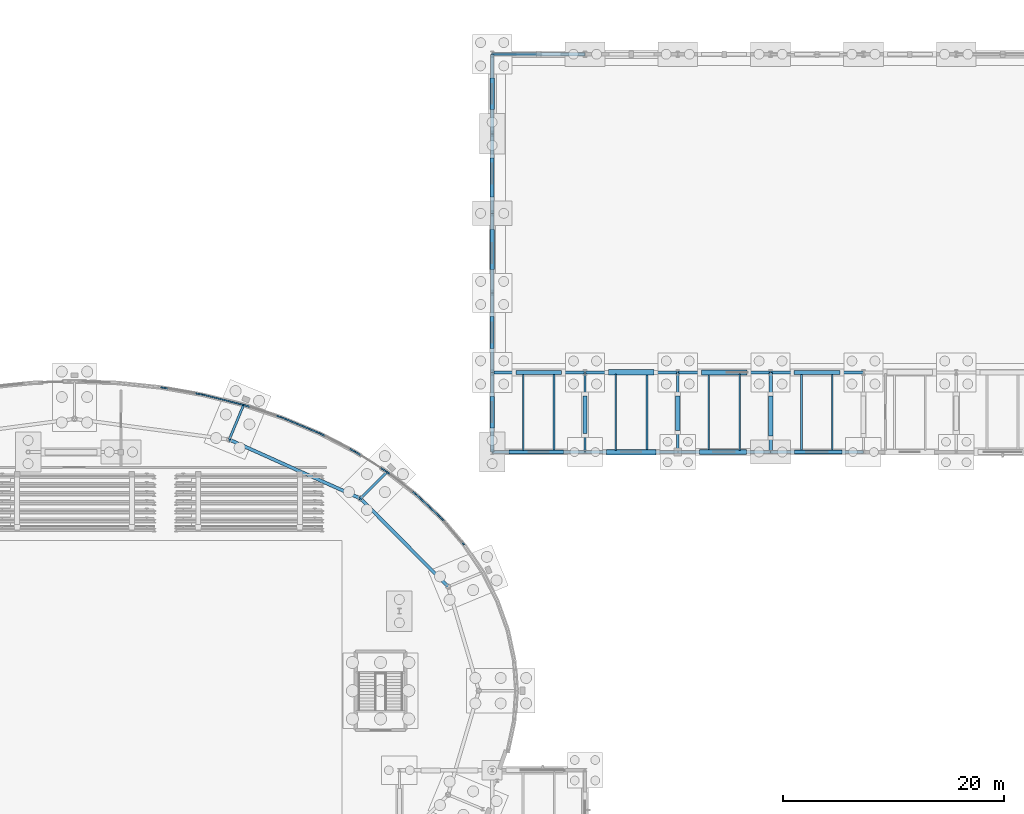
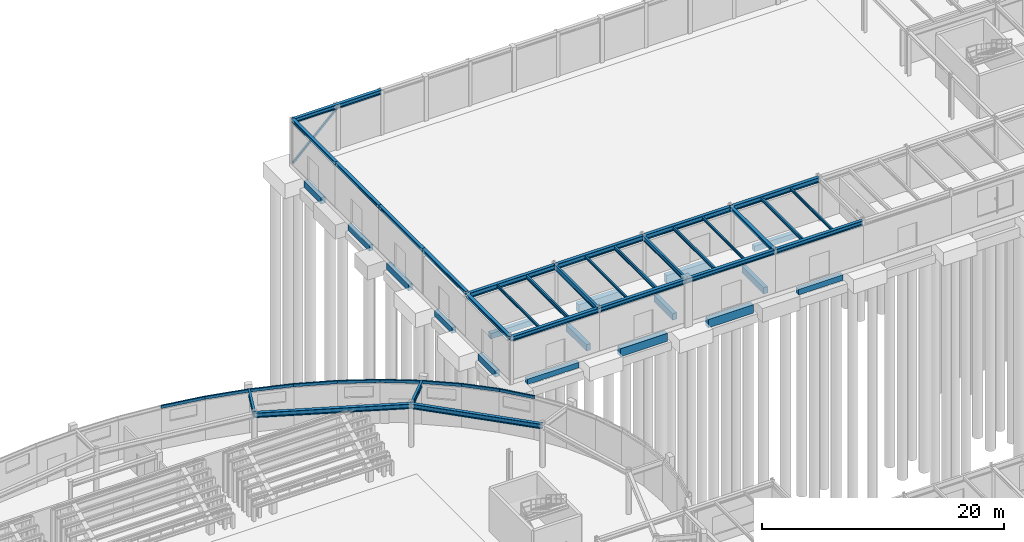
# One storey, part 41 of 93: 54 beams, 1 member.
"""IFC4 building model written with IfcOpenShell, lengths in metres."""

from ifc_helpers import new_model, si_unit, derived_unit, direction, frame, origin, origin_2d, place, context, subcontext, project, spatial, rectangle, hollow_rectangle, i_section, extrude, material, material_profile, profile_set, type_object, element, save


model = new_model("IFC4")

# Units and contexts
model_context = context("Model", 3, precision=1e-05, world=origin(), true_north=direction((0.0, 1.0)))
body_context = subcontext(model_context, "Body", "Model", "MODEL_VIEW")
ifc_project = project(units=[si_unit("LENGTHUNIT", "METRE"), si_unit("AREAUNIT", "SQUARE_METRE"), si_unit("VOLUMEUNIT", "CUBIC_METRE"), si_unit("PLANEANGLEUNIT", "RADIAN"), si_unit("MASSUNIT", "GRAM", prefix="KILO"), derived_unit("THERMALTRANSMITTANCEUNIT", [(si_unit("MASSUNIT", "GRAM", prefix="KILO"), 1), (si_unit("TIMEUNIT", "SECOND"), -3), (si_unit("THERMODYNAMICTEMPERATUREUNIT", "KELVIN"), -1)])], contexts=[model_context])

# Site, building, storey
site_placement = place(None, origin())
site = spatial("IfcSite", under=ifc_project, at=site_placement, CompositionType="ELEMENT")
building_placement = place(site_placement, origin())
building = spatial("IfcBuilding", under=site, at=building_placement, Name="Kharveza Railside Sports Centre", CompositionType="ELEMENT")
storey_placement = place(building_placement, origin())
storey = spatial("IfcBuildingStorey", under=building, at=storey_placement, Name="L00", CompositionType="ELEMENT", Elevation=0.0)

# Beams
ifc_material_1 = material(Name="Steel S355J2", Category="steel")
ifc_material_profile_1 = material_profile(ifc_material_1, i_section(OverallWidth=0.2099609375, OverallDepth=0.550048828125, WebThickness=0.010986328125, FlangeThickness=0.01708984375, FilletRadius=0.02392578125, at=origin_2d()), Name="IPE 550")
ifc_profile_set_1 = profile_set([ifc_material_profile_1], Name="Steel S355J2")
beam_type_1 = type_object("IfcBeamType", Name="BM-G02", PredefinedType="T_BEAM", material=ifc_profile_set_1)
for number, where, z_axis, x_axis, name in (
    (1, (80.47998046875, 67.794921875, 4.0400390625), (0.707142683133, 0.707070877417, 0.0), (-0.707070877417, 0.707142683133, 0.0), "BM-DRAD-L00-03"),
    (2, (68.606201171875, 73.12744140625, 4.0400390625), (0.382666779591, 0.92388643014, 0.0), (-0.92388643014, 0.382666779591, 0.0), "BM-DRAD-L00-04"),
):
    element("IfcBeam", number, at=place(storey_placement, frame(where, z_axis=z_axis, x_axis=x_axis)), inside=storey, type_object=beam_type_1, Name=name, PredefinedType="T_BEAM", context=body_context, shape_type="SweptSolid", body=[
        extrude(i_section(OverallWidth=0.2099609375, OverallDepth=0.550048828125, WebThickness=0.010986328125, FlangeThickness=0.01708984375, FilletRadius=0.02392578125, at=origin_2d()), origin(), (0.0, 0.0, 1.0), 3.39990234375),
    ])
ifc_material_profile_2 = material_profile(ifc_material_1, i_section(OverallWidth=0.199951171875, OverallDepth=0.5, WebThickness=0.01025390625, FlangeThickness=0.01611328125, FilletRadius=0.02099609375, at=origin_2d()), Name="IPE 500")
ifc_profile_set_2 = profile_set([ifc_material_profile_2], Name="Steel S355J2")
beam_type_2 = type_object("IfcBeamType", Name="BM-G03", PredefinedType="T_BEAM", material=ifc_profile_set_2)
beam_1_placement = place(storey_placement, frame((100.800048828125, 72.0, 4.070068359375), z_axis=(0.0, 1.0, 0.0), x_axis=(-1.0, 0.0, 0.0)))
element("IfcBeam", 3, at=beam_1_placement, inside=storey, type_object=beam_type_2, Name="BM-NS-L00-B03-X1008-Y720", PredefinedType="T_BEAM", context=body_context, shape_type="SweptSolid", body=[
    extrude(i_section(OverallWidth=0.199951171875, OverallDepth=0.5, WebThickness=0.01025390625, FlangeThickness=0.01611328125, FilletRadius=0.02099609375, at=origin_2d()), origin(), (0.0, 0.0, 1.0), 7.199951171875),
])
ifc_material_profile_3 = material_profile(ifc_material_1, i_section(OverallWidth=0.18994140625, OverallDepth=0.449951171875, WebThickness=0.009521484375, FlangeThickness=0.0146484375, FilletRadius=0.02099609375, at=origin_2d()), Name="IPE 450")
ifc_profile_set_3 = profile_set([ifc_material_profile_3], Name="Steel S355J2")
beam_type_3 = type_object("IfcBeamType", Name="BM-G04", PredefinedType="T_BEAM", material=ifc_profile_set_3)
beam_2_placement = place(storey_placement, frame((109.199951171875, 72.0, 4.094970703125), z_axis=(0.0, 1.0, 0.0), x_axis=(-1.0, 0.0, 0.0)))
element("IfcBeam", 4, at=beam_2_placement, inside=storey, type_object=beam_type_3, Name="BM-NS-L00-B04-X1092-Y720", PredefinedType="T_BEAM", context=body_context, shape_type="SweptSolid", body=[
    extrude(i_section(OverallWidth=0.18994140625, OverallDepth=0.449951171875, WebThickness=0.009521484375, FlangeThickness=0.0146484375, FilletRadius=0.02099609375, at=origin_2d()), origin(), (0.0, 0.0, 1.0), 7.199951171875),
])
ifc_material_profile_4 = material_profile(ifc_material_1, i_section(OverallWidth=0.300048828125, OverallDepth=0.5, WebThickness=0.014404296875, FlangeThickness=0.028076171875, FilletRadius=0.027099609375, at=origin_2d()), Name="HEB 500")
ifc_profile_set_4 = profile_set([ifc_material_profile_4], Name="Steel S355J2")
beam_type_4 = type_object("IfcBeamType", Name="BM-G05", PredefinedType="T_BEAM", material=ifc_profile_set_4)
beam_3_placement = place(storey_placement, frame((92.39990234375, 79.199951171875, 4.070068359375), z_axis=(1.0, 0.0, 0.0), x_axis=(0.0, 1.0, 0.0)))
element("IfcBeam", 5, at=beam_3_placement, inside=storey, type_object=beam_type_4, Name="BM-EW-L00-B05-X924-Y792", PredefinedType="T_BEAM", context=body_context, shape_type="SweptSolid", body=[
    extrude(i_section(OverallWidth=0.300048828125, OverallDepth=0.5, WebThickness=0.014404296875, FlangeThickness=0.028076171875, FilletRadius=0.027099609375, at=origin_2d()), origin(), (0.0, 0.0, 1.0), 8.400146484375),
])
beam_4_placement = place(storey_placement, frame((100.800048828125, 79.199951171875, 4.070068359375), z_axis=(1.0, 0.0, 0.0), x_axis=(0.0, 1.0, 0.0)))
element("IfcBeam", 6, at=beam_4_placement, inside=storey, type_object=beam_type_4, Name="BM-EW-L00-B05-X1008-Y792", PredefinedType="T_BEAM", context=body_context, shape_type="SweptSolid", body=[
    extrude(i_section(OverallWidth=0.300048828125, OverallDepth=0.5, WebThickness=0.014404296875, FlangeThickness=0.028076171875, FilletRadius=0.027099609375, at=origin_2d()), origin(), (0.0, 0.0, 1.0), 8.39990234375),
])
beam_5_placement = place(storey_placement, frame((109.199951171875, 79.199951171875, 4.070068359375), z_axis=(1.0, 0.0, 0.0), x_axis=(0.0, 1.0, 0.0)))
element("IfcBeam", 7, at=beam_5_placement, inside=storey, type_object=beam_type_4, Name="BM-EW-L00-B05-X1092-Y792", PredefinedType="T_BEAM", context=body_context, shape_type="SweptSolid", body=[
    extrude(i_section(OverallWidth=0.300048828125, OverallDepth=0.5, WebThickness=0.014404296875, FlangeThickness=0.028076171875, FilletRadius=0.027099609375, at=origin_2d()), origin(), (0.0, 0.0, 1.0), 8.400146484375),
])
beam_6_placement = place(storey_placement, frame((117.60009765625, 79.199951171875, 4.070068359375), z_axis=(1.0, 0.0, 0.0), x_axis=(0.0, 1.0, 0.0)))
element("IfcBeam", 8, at=beam_6_placement, inside=storey, type_object=beam_type_4, Name="BM-EW-L00-B05-X1176-Y792", PredefinedType="T_BEAM", context=body_context, shape_type="SweptSolid", body=[
    extrude(i_section(OverallWidth=0.300048828125, OverallDepth=0.5, WebThickness=0.014404296875, FlangeThickness=0.028076171875, FilletRadius=0.027099609375, at=origin_2d()), origin(), (0.0, 0.0, 1.0), 8.39990234375),
])
ifc_material_profile_5 = material_profile(ifc_material_1, i_section(OverallWidth=0.300048828125, OverallDepth=0.449951171875, WebThickness=0.013916015625, FlangeThickness=0.02587890625, FilletRadius=0.027099609375, at=origin_2d()), Name="HEB 450")
ifc_profile_set_5 = profile_set([ifc_material_profile_5], Name="Steel S355J2")
beam_type_5 = type_object("IfcBeamType", Name="BM-G06", PredefinedType="T_BEAM", material=ifc_profile_set_5)
beam_7_placement = place(storey_placement, frame((92.39990234375, 72.0, 4.094970703125), z_axis=(1.0, 0.0, 0.0), x_axis=(0.0, 1.0, 0.0)))
element("IfcBeam", 9, at=beam_7_placement, inside=storey, type_object=beam_type_5, Name="BM-EW-L00-B06-X924-Y720", PredefinedType="T_BEAM", context=body_context, shape_type="SweptSolid", body=[
    extrude(i_section(OverallWidth=0.300048828125, OverallDepth=0.449951171875, WebThickness=0.013916015625, FlangeThickness=0.02587890625, FilletRadius=0.027099609375, at=origin_2d()), origin(), (0.0, 0.0, 1.0), 8.400146484375),
])
beam_8_placement = place(storey_placement, frame((100.800048828125, 72.0, 4.094970703125), z_axis=(1.0, 0.0, 0.0), x_axis=(0.0, 1.0, 0.0)))
element("IfcBeam", 10, at=beam_8_placement, inside=storey, type_object=beam_type_5, Name="BM-EW-L00-B06-X1008-Y720", PredefinedType="T_BEAM", context=body_context, shape_type="SweptSolid", body=[
    extrude(i_section(OverallWidth=0.300048828125, OverallDepth=0.449951171875, WebThickness=0.013916015625, FlangeThickness=0.02587890625, FilletRadius=0.027099609375, at=origin_2d()), origin(), (0.0, 0.0, 1.0), 8.39990234375),
])
beam_9_placement = place(storey_placement, frame((109.199951171875, 72.0, 4.094970703125), z_axis=(1.0, 0.0, 0.0), x_axis=(0.0, 1.0, 0.0)))
element("IfcBeam", 11, at=beam_9_placement, inside=storey, type_object=beam_type_5, Name="BM-EW-L00-B06-X1092-Y720", PredefinedType="T_BEAM", context=body_context, shape_type="SweptSolid", body=[
    extrude(i_section(OverallWidth=0.300048828125, OverallDepth=0.449951171875, WebThickness=0.013916015625, FlangeThickness=0.02587890625, FilletRadius=0.027099609375, at=origin_2d()), origin(), (0.0, 0.0, 1.0), 8.400146484375),
])
beam_10_placement = place(storey_placement, frame((117.60009765625, 72.0, 4.094970703125), z_axis=(1.0, 0.0, 0.0), x_axis=(0.0, 1.0, 0.0)))
element("IfcBeam", 12, at=beam_10_placement, inside=storey, type_object=beam_type_5, Name="BM-EW-L00-B06-X1176-Y720", PredefinedType="T_BEAM", context=body_context, shape_type="SweptSolid", body=[
    extrude(i_section(OverallWidth=0.300048828125, OverallDepth=0.449951171875, WebThickness=0.013916015625, FlangeThickness=0.02587890625, FilletRadius=0.027099609375, at=origin_2d()), origin(), (0.0, 0.0, 1.0), 8.39990234375),
])
ifc_material_profile_6 = material_profile(ifc_material_1, i_section(OverallWidth=0.300048828125, OverallDepth=0.489990234375, WebThickness=0.011962890625, FlangeThickness=0.02294921875, FilletRadius=0.027099609375, at=origin_2d()), Name="HEA 500")
ifc_profile_set_6 = profile_set([ifc_material_profile_6], Name="Steel S355J2")
beam_type_6 = type_object("IfcBeamType", Name="BM-G08", PredefinedType="T_BEAM", material=ifc_profile_set_6)
beam_11_placement = place(storey_placement, frame((88.4140625, 59.81396484375, 4.070068359375), z_axis=(-0.705021062231, 0.709186366064, 0.0), x_axis=(-0.709186366064, -0.705021062231, 0.0)))
element("IfcBeam", 13, at=beam_11_placement, inside=storey, type_object=beam_type_6, Name="BM-DRING-L00-02", PredefinedType="T_BEAM", context=body_context, shape_type="SweptSolid", body=[
    extrude(i_section(OverallWidth=0.300048828125, OverallDepth=0.489990234375, WebThickness=0.011962890625, FlangeThickness=0.02294921875, FilletRadius=0.027099609375, at=origin_2d()), origin(), (0.0, 0.0, 1.0), 11.253662109375),
])
beam_12_placement = place(storey_placement, frame((80.47998046875, 67.794921875, 4.070068359375), z_axis=(-0.912228335917, 0.409682148928, 0.0), x_axis=(-0.409682148928, -0.912228335917, 0.0)))
element("IfcBeam", 14, at=beam_12_placement, inside=storey, type_object=beam_type_6, Name="BM-DRING-L00-03", PredefinedType="T_BEAM", context=body_context, shape_type="SweptSolid", body=[
    extrude(i_section(OverallWidth=0.300048828125, OverallDepth=0.489990234375, WebThickness=0.011962890625, FlangeThickness=0.02294921875, FilletRadius=0.027099609375, at=origin_2d()), origin(), (0.0, 0.0, 1.0), 13.016357421875),
])
ifc_material_2 = material(Name="Concrete C35/45", Category="concrete")
ifc_material_profile_7 = material_profile(ifc_material_2, rectangle(XDim=0.5, YDim=0.800048828125, at=origin_2d()), Name="RCB 500x800")
ifc_profile_set_7 = profile_set([ifc_material_profile_7], Name="Concrete C35/45")
beam_type_7 = type_object("IfcBeamType", Name="BM-RC01", PredefinedType="T_BEAM", material=ifc_profile_set_7)
beam_13_placement = place(storey_placement, frame((102.760009765625, 72.0, -0.820068359375), z_axis=(1.0, 0.0, 0.0), x_axis=(0.0, 1.0, 0.0)))
element("IfcBeam", 15, at=beam_13_placement, inside=storey, type_object=beam_type_7, Name="BM-PLINTH-EW-B25-X1008-Y720-1", PredefinedType="T_BEAM", context=body_context, shape_type="SweptSolid", body=[
    extrude(rectangle(XDim=0.5, YDim=0.800048828125, at=origin_2d()), origin(), (0.0, 0.0, 1.0), 4.47998046875),
])
beam_14_placement = place(storey_placement, frame((102.93505859375, 79.199951171875, -0.820068359375), z_axis=(1.0, 0.0, 0.0), x_axis=(0.0, 1.0, 0.0)))
element("IfcBeam", 16, at=beam_14_placement, inside=storey, type_object=beam_type_7, Name="BM-PLINTH-EW-B25-X1008-Y792-1", PredefinedType="T_BEAM", context=body_context, shape_type="SweptSolid", body=[
    extrude(rectangle(XDim=0.5, YDim=0.800048828125, at=origin_2d()), origin(), (0.0, 0.0, 1.0), 4.1298828125),
])
ifc_material_profile_8 = material_profile(ifc_material_2, rectangle(XDim=0.39990234375, YDim=0.64990234375, at=origin_2d()), Name="RCB 400x650")
ifc_profile_set_8 = profile_set([ifc_material_profile_8], Name="Concrete C35/45")
beam_type_8 = type_object("IfcBeamType", Name="BM-RC02", PredefinedType="BEAM", material=ifc_profile_set_8)
beam_15_placement = place(storey_placement, frame((92.39990234375, 74.18505859375, -0.7451171875), z_axis=(0.0, 1.0, 0.0), x_axis=(-1.0, 0.0, 0.0)))
element("IfcBeam", 17, at=beam_15_placement, inside=storey, type_object=beam_type_8, Name="BM-PLINTH-NS-B26-X924-Y720-1", PredefinedType="BEAM", context=body_context, shape_type="SweptSolid", body=[
    extrude(rectangle(XDim=0.39990234375, YDim=0.64990234375, at=origin_2d()), origin(), (0.0, 0.0, 1.0), 2.85498046875),
])
beam_16_placement = place(storey_placement, frame((92.39990234375, 88.534912109375, -0.7451171875), z_axis=(0.0, 1.0, 0.0), x_axis=(-1.0, 0.0, 0.0)))
element("IfcBeam", 18, at=beam_16_placement, inside=storey, type_object=beam_type_8, Name="BM-PLINTH-NS-B26-X924-Y864-1", PredefinedType="BEAM", context=body_context, shape_type="SweptSolid", body=[
    extrude(rectangle(XDim=0.39990234375, YDim=0.64990234375, at=origin_2d()), origin(), (0.0, 0.0, 1.0), 3.60498046875),
])
beam_17_placement = place(storey_placement, frame((92.39990234375, 102.985107421875, -0.7451171875), z_axis=(0.0, 1.0, 0.0), x_axis=(-1.0, 0.0, 0.0)))
element("IfcBeam", 19, at=beam_17_placement, inside=storey, type_object=beam_type_8, Name="BM-PLINTH-NS-B26-X924-Y1008-1", PredefinedType="BEAM", context=body_context, shape_type="SweptSolid", body=[
    extrude(rectangle(XDim=0.39990234375, YDim=0.64990234375, at=origin_2d()), origin(), (0.0, 0.0, 1.0), 2.85498046875),
])
beam_18_placement = place(storey_placement, frame((100.800048828125, 73.659912109375, -0.7451171875), z_axis=(0.0, 1.0, 0.0), x_axis=(-1.0, 0.0, 0.0)))
element("IfcBeam", 20, at=beam_18_placement, inside=storey, type_object=beam_type_8, Name="BM-PLINTH-NS-B26-X1008-Y720-1", PredefinedType="BEAM", context=body_context, shape_type="SweptSolid", body=[
    extrude(rectangle(XDim=0.39990234375, YDim=0.64990234375, at=origin_2d()), origin(), (0.0, 0.0, 1.0), 3.405029296875),
])
beam_19_placement = place(storey_placement, frame((109.199951171875, 73.9599609375, -0.7451171875), z_axis=(0.0, 1.0, 0.0), x_axis=(-1.0, 0.0, 0.0)))
element("IfcBeam", 21, at=beam_19_placement, inside=storey, type_object=beam_type_8, Name="BM-PLINTH-NS-B26-X1092-Y720-1", PredefinedType="BEAM", context=body_context, shape_type="SweptSolid", body=[
    extrude(rectangle(XDim=0.39990234375, YDim=0.64990234375, at=origin_2d()), origin(), (0.0, 0.0, 1.0), 3.10498046875),
])
beam_20_placement = place(storey_placement, frame((117.60009765625, 73.4599609375, -0.7451171875), z_axis=(0.0, 1.0, 0.0), x_axis=(-1.0, 0.0, 0.0)))
element("IfcBeam", 22, at=beam_20_placement, inside=storey, type_object=beam_type_8, Name="BM-PLINTH-NS-B26-X1176-Y720-1", PredefinedType="BEAM", context=body_context, shape_type="SweptSolid", body=[
    extrude(rectangle(XDim=0.39990234375, YDim=0.64990234375, at=origin_2d()), origin(), (0.0, 0.0, 1.0), 3.60498046875),
])
ifc_material_profile_9 = material_profile(ifc_material_2, rectangle(XDim=0.449951171875, YDim=0.85009765625, at=origin_2d()), Name="RCB 450x850")
ifc_profile_set_9 = profile_set([ifc_material_profile_9], Name="Concrete C35/45")
beam_type_9 = type_object("IfcBeamType", Name="BM-RC05", PredefinedType="T_BEAM", material=ifc_profile_set_9)
beam_21_placement = place(storey_placement, frame((111.159912109375, 72.0, -0.844970703125), z_axis=(1.0, 0.0, 0.0), x_axis=(0.0, 1.0, 0.0)))
element("IfcBeam", 23, at=beam_21_placement, inside=storey, type_object=beam_type_9, Name="BM-PLINTH-EW-B29-X1092-Y720-1", PredefinedType="T_BEAM", context=body_context, shape_type="SweptSolid", body=[
    extrude(rectangle(XDim=0.449951171875, YDim=0.85009765625, at=origin_2d()), origin(), (0.0, 0.0, 1.0), 4.280029296875),
])
beam_22_placement = place(storey_placement, frame((111.3349609375, 79.199951171875, -0.844970703125), z_axis=(1.0, 0.0, 0.0), x_axis=(0.0, 1.0, 0.0)))
element("IfcBeam", 24, at=beam_22_placement, inside=storey, type_object=beam_type_9, Name="BM-PLINTH-EW-B29-X1092-Y792-1", PredefinedType="T_BEAM", context=body_context, shape_type="SweptSolid", body=[
    extrude(rectangle(XDim=0.449951171875, YDim=0.85009765625, at=origin_2d()), origin(), (0.0, 0.0, 1.0), 4.130126953125),
])
ifc_material_profile_10 = material_profile(ifc_material_2, rectangle(XDim=0.35009765625, YDim=0.60009765625, at=origin_2d()), Name="RCB 350x600")
ifc_profile_set_10 = profile_set([ifc_material_profile_10], Name="Concrete C35/45")
beam_type_10 = type_object("IfcBeamType", Name="BM-RC06", PredefinedType="BEAM", material=ifc_profile_set_10)
beam_23_placement = place(storey_placement, frame((92.39990234375, 81.360107421875, -0.719970703125), z_axis=(0.0, 1.0, 0.0), x_axis=(-1.0, 0.0, 0.0)))
element("IfcBeam", 25, at=beam_23_placement, inside=storey, type_object=beam_type_10, Name="BM-PLINTH-NS-B30-X924-Y792-1", PredefinedType="BEAM", context=body_context, shape_type="SweptSolid", body=[
    extrude(rectangle(XDim=0.35009765625, YDim=0.60009765625, at=origin_2d()), origin(), (0.0, 0.0, 1.0), 2.90478515625),
])
beam_24_placement = place(storey_placement, frame((92.39990234375, 95.06005859375, -0.719970703125), z_axis=(0.0, 1.0, 0.0), x_axis=(-1.0, 0.0, 0.0)))
element("IfcBeam", 26, at=beam_24_placement, inside=storey, type_object=beam_type_10, Name="BM-PLINTH-NS-B30-X924-Y936-1", PredefinedType="BEAM", context=body_context, shape_type="SweptSolid", body=[
    extrude(rectangle(XDim=0.35009765625, YDim=0.60009765625, at=origin_2d()), origin(), (0.0, 0.0, 1.0), 3.554931640625),
])
ifc_material_profile_11 = material_profile(ifc_material_2, rectangle(XDim=0.39990234375, YDim=0.550048828125, at=origin_2d()), Name="RCB 400x550")
ifc_profile_set_11 = profile_set([ifc_material_profile_11], Name="Concrete C35/45")
beam_type_11 = type_object("IfcBeamType", Name="BM-RC07", PredefinedType="LINTEL", material=ifc_profile_set_11)
beam_25_placement = place(storey_placement, frame((93.909912109375, 72.0, -0.695068359375), z_axis=(1.0, 0.0, 0.0), x_axis=(0.0, 1.0, 0.0)))
element("IfcBeam", 27, at=beam_25_placement, inside=storey, type_object=beam_type_11, Name="BM-PLINTH-EW-B31-X924-Y720-1", PredefinedType="LINTEL", context=body_context, shape_type="SweptSolid", body=[
    extrude(rectangle(XDim=0.39990234375, YDim=0.550048828125, at=origin_2d()), origin(), (0.0, 0.0, 1.0), 4.93017578125),
])
beam_26_placement = place(storey_placement, frame((94.56005859375, 79.199951171875, -0.695068359375), z_axis=(1.0, 0.0, 0.0), x_axis=(0.0, 1.0, 0.0)))
element("IfcBeam", 28, at=beam_26_placement, inside=storey, type_object=beam_type_11, Name="BM-PLINTH-EW-B31-X924-Y792-1", PredefinedType="LINTEL", context=body_context, shape_type="SweptSolid", body=[
    extrude(rectangle(XDim=0.39990234375, YDim=0.550048828125, at=origin_2d()), origin(), (0.0, 0.0, 1.0), 4.10498046875),
])
beam_27_placement = place(storey_placement, frame((119.760009765625, 72.0, -0.695068359375), z_axis=(1.0, 0.0, 0.0), x_axis=(0.0, 1.0, 0.0)))
element("IfcBeam", 29, at=beam_27_placement, inside=storey, type_object=beam_type_11, Name="BM-PLINTH-EW-B31-X1176-Y720-1", PredefinedType="LINTEL", context=body_context, shape_type="SweptSolid", body=[
    extrude(rectangle(XDim=0.39990234375, YDim=0.550048828125, at=origin_2d()), origin(), (0.0, 0.0, 1.0), 4.280029296875),
])
beam_28_placement = place(storey_placement, frame((119.735107421875, 79.199951171875, -0.695068359375), z_axis=(1.0, 0.0, 0.0), x_axis=(0.0, 1.0, 0.0)))
element("IfcBeam", 30, at=beam_28_placement, inside=storey, type_object=beam_type_11, Name="BM-PLINTH-EW-B31-X1176-Y792-1", PredefinedType="LINTEL", context=body_context, shape_type="SweptSolid", body=[
    extrude(rectangle(XDim=0.39990234375, YDim=0.550048828125, at=origin_2d()), origin(), (0.0, 0.0, 1.0), 4.1298828125),
])
ifc_material_profile_12 = material_profile(ifc_material_1, i_section(OverallWidth=0.169921875, OverallDepth=0.360107421875, WebThickness=0.008056640625, FlangeThickness=0.0126953125, FilletRadius=0.01806640625, at=origin_2d()), Name="IPE 360")
ifc_profile_set_12 = profile_set([ifc_material_profile_12], Name="Steel S355J2")
beam_type_12 = type_object("IfcBeamType", Name="BM-S02", PredefinedType="BEAM", material=ifc_profile_set_12)
for number, where, z_axis, x_axis, name in (
    (31, (98.0, 72.14697265625, 4.139892578125), (0.0, 1.0, 0.0), (-1.0, 0.0, 0.0), "BM-SEC-L00-B10-X980-Y720"),
    (32, (106.39990234375, 72.14697265625, 4.139892578125), (0.0, 1.0, 0.0), (-1.0, 0.0, 0.0), "BM-SEC-L00-B10-X1064-Y720"),
):
    element("IfcBeam", number, at=place(storey_placement, frame(where, z_axis=z_axis, x_axis=x_axis)), inside=storey, type_object=beam_type_12, Name=name, PredefinedType="BEAM", context=body_context, shape_type="SweptSolid", body=[
        extrude(i_section(OverallWidth=0.169921875, OverallDepth=0.360107421875, WebThickness=0.008056640625, FlangeThickness=0.0126953125, FilletRadius=0.01806640625, at=origin_2d()), origin(), (0.0, 0.0, 1.0), 6.906005859375),
    ])
ifc_material_profile_13 = material_profile(ifc_material_1, i_section(OverallWidth=0.159912109375, OverallDepth=0.330078125, WebThickness=0.007568359375, FlangeThickness=0.011474609375, FilletRadius=0.01806640625, at=origin_2d()), Name="IPE 330")
ifc_profile_set_13 = profile_set([ifc_material_profile_13], Name="Steel S355J2")
beam_type_13 = type_object("IfcBeamType", Name="BM-S03", PredefinedType="BEAM", material=ifc_profile_set_13)
for number, where, z_axis, x_axis, name in (
    (33, (112.0, 72.14697265625, 4.155029296875), (0.0, 1.0, 0.0), (-1.0, 0.0, 0.0), "BM-SEC-L00-B11-X1120-Y720"),
    (34, (120.39990234375, 72.14697265625, 4.155029296875), (0.0, 1.0, 0.0), (-1.0, 0.0, 0.0), "BM-SEC-L00-B11-X1204-Y720"),
):
    element("IfcBeam", number, at=place(storey_placement, frame(where, z_axis=z_axis, x_axis=x_axis)), inside=storey, type_object=beam_type_13, Name=name, PredefinedType="BEAM", context=body_context, shape_type="SweptSolid", body=[
        extrude(i_section(OverallWidth=0.159912109375, OverallDepth=0.330078125, WebThickness=0.007568359375, FlangeThickness=0.011474609375, FilletRadius=0.01806640625, at=origin_2d()), origin(), (0.0, 0.0, 1.0), 6.906005859375),
    ])
ifc_material_profile_14 = material_profile(ifc_material_1, i_section(OverallWidth=0.135009765625, OverallDepth=0.27001953125, WebThickness=0.006591796875, FlangeThickness=0.01025390625, FilletRadius=0.014892578125, at=origin_2d()), Name="IPE 270")
ifc_profile_set_14 = profile_set([ifc_material_profile_14], Name="Steel S355J2")
beam_type_14 = type_object("IfcBeamType", Name="BM-S05", PredefinedType="BEAM", material=ifc_profile_set_14)
for number, where, z_axis, x_axis, name in (
    (35, (95.199951171875, 72.14697265625, 4.18505859375), (0.0, 1.0, 0.0), (-1.0, 0.0, 0.0), "BM-SEC-L00-B13-X952-Y720"),
    (36, (103.60009765625, 72.14697265625, 4.18505859375), (0.0, 1.0, 0.0), (-1.0, 0.0, 0.0), "BM-SEC-L00-B13-X1036-Y720"),
    (37, (114.800048828125, 72.14697265625, 4.18505859375), (0.0, 1.0, 0.0), (-1.0, 0.0, 0.0), "BM-SEC-L00-B13-X1148-Y720"),
    (38, (123.199951171875, 72.14697265625, 4.18505859375), (0.0, 1.0, 0.0), (-1.0, 0.0, 0.0), "BM-SEC-L00-B13-X1232-Y720"),
):
    element("IfcBeam", number, at=place(storey_placement, frame(where, z_axis=z_axis, x_axis=x_axis)), inside=storey, type_object=beam_type_14, Name=name, PredefinedType="BEAM", context=body_context, shape_type="SweptSolid", body=[
        extrude(i_section(OverallWidth=0.135009765625, OverallDepth=0.27001953125, WebThickness=0.006591796875, FlangeThickness=0.01025390625, FilletRadius=0.014892578125, at=origin_2d()), origin(), (0.0, 0.0, 1.0), 6.906005859375),
    ])
ifc_material_profile_15 = material_profile(ifc_material_1, i_section(OverallWidth=0.300048828125, OverallDepth=0.31005859375, WebThickness=0.009033203125, FlangeThickness=0.015380859375, FilletRadius=0.027099609375, at=origin_2d()), Name="HEA 320")
ifc_profile_set_15 = profile_set([ifc_material_profile_15], Name="Steel S355J2")
beam_type_15 = type_object("IfcBeamType", Name="BM-S06", PredefinedType="BEAM", material=ifc_profile_set_15)
for number, where, z_axis, x_axis, name in (
    (39, (92.39990234375, 72.0, 4.1650390625), (0.0, 1.0, 0.0), (-1.0, 0.0, 0.0), "BM-NS-L00-B14-X924-Y720"),
    (40, (92.39990234375, 79.199951171875, 4.344970703125), (0.0, 1.0, 0.0), (-1.0, 0.0, 0.0), "BM-NS-L00-B14-X924-Y792"),
):
    element("IfcBeam", number, at=place(storey_placement, frame(where, z_axis=z_axis, x_axis=x_axis)), inside=storey, type_object=beam_type_15, Name=name, PredefinedType="BEAM", context=body_context, shape_type="SweptSolid", body=[
        extrude(i_section(OverallWidth=0.300048828125, OverallDepth=0.31005859375, WebThickness=0.009033203125, FlangeThickness=0.015380859375, FilletRadius=0.027099609375, at=origin_2d()), origin(), (0.0, 0.0, 1.0), 7.199951171875),
    ])
beam_29_placement = place(storey_placement, frame((92.39990234375, 86.39990234375, 4.344970703125), z_axis=(0.0, 1.0, 0.0), x_axis=(-1.0, 0.0, 0.0)))
element("IfcBeam", 41, at=beam_29_placement, inside=storey, type_object=beam_type_15, Name="BM-NS-L00-B14-X924-Y864", PredefinedType="BEAM", context=body_context, shape_type="SweptSolid", body=[
    extrude(i_section(OverallWidth=0.300048828125, OverallDepth=0.31005859375, WebThickness=0.009033203125, FlangeThickness=0.015380859375, FilletRadius=0.027099609375, at=origin_2d()), origin(), (0.0, 0.0, 1.0), 7.2001953125),
])
for number, where, z_axis, x_axis, name in (
    (42, (92.39990234375, 93.60009765625, 4.344970703125), (0.0, 1.0, 0.0), (-1.0, 0.0, 0.0), "BM-NS-L00-B14-X924-Y936"),
    (43, (92.39990234375, 100.800048828125, 4.344970703125), (0.0, 1.0, 0.0), (-1.0, 0.0, 0.0), "BM-NS-L00-B14-X924-Y1008"),
    (44, (117.60009765625, 72.0, 4.1650390625), (0.0, 1.0, 0.0), (-1.0, 0.0, 0.0), "BM-NS-L00-B14-X1176-Y720"),
):
    element("IfcBeam", number, at=place(storey_placement, frame(where, z_axis=z_axis, x_axis=x_axis)), inside=storey, type_object=beam_type_15, Name=name, PredefinedType="BEAM", context=body_context, shape_type="SweptSolid", body=[
        extrude(i_section(OverallWidth=0.300048828125, OverallDepth=0.31005859375, WebThickness=0.009033203125, FlangeThickness=0.015380859375, FilletRadius=0.027099609375, at=origin_2d()), origin(), (0.0, 0.0, 1.0), 7.199951171875),
    ])
ifc_material_profile_16 = material_profile(ifc_material_1, i_section(OverallWidth=0.300048828125, OverallDepth=0.43994140625, WebThickness=0.011474609375, FlangeThickness=0.02099609375, FilletRadius=0.027099609375, at=origin_2d()), Name="HEA 450")
ifc_profile_set_16 = profile_set([ifc_material_profile_16], Name="Steel S355J2")
beam_type_16 = type_object("IfcBeamType", Name="BM-SP01", PredefinedType="SPANDREL", material=ifc_profile_set_16)
beam_30_placement = place(storey_placement, frame((92.39990234375, 108.0, 4.280029296875), z_axis=(1.0, 0.0, 0.0), x_axis=(0.0, 1.0, 0.0)))
element("IfcBeam", 45, at=beam_30_placement, inside=storey, type_object=beam_type_16, Name="BM-EW-L00-B15-X924-Y1080", PredefinedType="SPANDREL", context=body_context, shape_type="SweptSolid", body=[
    extrude(i_section(OverallWidth=0.300048828125, OverallDepth=0.43994140625, WebThickness=0.011474609375, FlangeThickness=0.02099609375, FilletRadius=0.027099609375, at=origin_2d()), origin(), (0.0, 0.0, 1.0), 8.400146484375),
])
ifc_material_profile_17 = material_profile(ifc_material_1, hollow_rectangle(XDim=0.14990234375, YDim=0.300048828125, WallThickness=0.012451171875, InnerFilletRadius=0.012451171875, OuterFilletRadius=0.02490234375, at=origin_2d()), Name="RHS 150x300x12.5")
ifc_profile_set_17 = profile_set([ifc_material_profile_17], Name="Steel S355J2")
beam_type_17 = type_object("IfcBeamType", Name="BM-SP03", PredefinedType="SPANDREL", material=ifc_profile_set_17)
beam_31_placement = place(storey_placement, frame((89.876953125, 63.59912109375, 4.159912109375), z_axis=(-0.650389538769, 0.759600847722, 0.0), x_axis=(-0.759600847722, -0.650389538769, 0.0)))
element("IfcBeam", 46, at=beam_31_placement, inside=storey, type_object=beam_type_17, Name="BM-DCLER-SILL-06", PredefinedType="SPANDREL", context=body_context, shape_type="SweptSolid", body=[
    extrude(hollow_rectangle(XDim=0.14990234375, YDim=0.300048828125, WallThickness=0.012451171875, InnerFilletRadius=0.012451171875, OuterFilletRadius=0.02490234375, at=origin_2d()), origin(), (0.0, 0.0, 1.0), 3.102783203125),
])
beam_32_placement = place(storey_placement, frame((87.85888671875, 65.9560546875, 4.159912109375), z_axis=(-0.727236314573, 0.686387166814, 0.0), x_axis=(-0.686387166814, -0.727236314573, 0.0)))
element("IfcBeam", 47, at=beam_32_placement, inside=storey, type_object=beam_type_17, Name="BM-DCLER-SILL-07", PredefinedType="SPANDREL", context=body_context, shape_type="SweptSolid", body=[
    extrude(hollow_rectangle(XDim=0.14990234375, YDim=0.300048828125, WallThickness=0.012451171875, InnerFilletRadius=0.012451171875, OuterFilletRadius=0.02490234375, at=origin_2d()), origin(), (0.0, 0.0, 1.0), 3.21533203125),
])
beam_33_placement = place(storey_placement, frame((85.5205078125, 68.1630859375, 4.159912109375), z_axis=(-0.791459061119, 0.611222181022, 0.0), x_axis=(-0.611222181022, -0.791459061119, 0.0)))
element("IfcBeam", 48, at=beam_33_placement, inside=storey, type_object=beam_type_17, Name="BM-DCLER-SILL-08", PredefinedType="SPANDREL", context=body_context, shape_type="SweptSolid", body=[
    extrude(hollow_rectangle(XDim=0.14990234375, YDim=0.300048828125, WallThickness=0.012451171875, InnerFilletRadius=0.012451171875, OuterFilletRadius=0.02490234375, at=origin_2d()), origin(), (0.0, 0.0, 1.0), 3.330810546875),
])
beam_34_placement = place(storey_placement, frame((82.88427734375, 70.198974609375, 4.159912109375), z_axis=(-0.844399097538, 0.535714629329, 0.0), x_axis=(-0.535714629329, -0.844399097538, 0.0)))
element("IfcBeam", 49, at=beam_34_placement, inside=storey, type_object=beam_type_17, Name="BM-DCLER-SILL-09", PredefinedType="SPANDREL", context=body_context, shape_type="SweptSolid", body=[
    extrude(hollow_rectangle(XDim=0.14990234375, YDim=0.300048828125, WallThickness=0.012451171875, InnerFilletRadius=0.012451171875, OuterFilletRadius=0.02490234375, at=origin_2d()), origin(), (0.0, 0.0, 1.0), 3.4443359375),
])
beam_35_placement = place(storey_placement, frame((79.975830078125, 72.044189453125, 4.159912109375), z_axis=(-0.887520396844, 0.460768429024, 0.0), x_axis=(-0.460768429024, -0.887520396844, 0.0)))
element("IfcBeam", 50, at=beam_35_placement, inside=storey, type_object=beam_type_17, Name="BM-DCLER-SILL-10", PredefinedType="SPANDREL", context=body_context, shape_type="SweptSolid", body=[
    extrude(hollow_rectangle(XDim=0.14990234375, YDim=0.300048828125, WallThickness=0.012451171875, InnerFilletRadius=0.012451171875, OuterFilletRadius=0.02490234375, at=origin_2d()), origin(), (0.0, 0.0, 1.0), 3.552734375),
])
beam_36_placement = place(storey_placement, frame((76.82275390625, 73.68115234375, 4.159912109375), z_axis=(-0.922130522386, 0.386878921219, 0.0), x_axis=(-0.386878921219, -0.922130522386, 0.0)))
element("IfcBeam", 51, at=beam_36_placement, inside=storey, type_object=beam_type_17, Name="BM-DCLER-SILL-11", PredefinedType="SPANDREL", context=body_context, shape_type="SweptSolid", body=[
    extrude(hollow_rectangle(XDim=0.14990234375, YDim=0.300048828125, WallThickness=0.012451171875, InnerFilletRadius=0.012451171875, OuterFilletRadius=0.02490234375, at=origin_2d()), origin(), (0.0, 0.0, 1.0), 3.6513671875),
])
beam_37_placement = place(storey_placement, frame((73.455810546875, 75.09375, 4.159912109375), z_axis=(-0.949327915917, 0.314287301781, 0.0), x_axis=(-0.314287301781, -0.949327915917, 0.0)))
element("IfcBeam", 52, at=beam_37_placement, inside=storey, type_object=beam_type_17, Name="BM-DCLER-SILL-12", PredefinedType="SPANDREL", context=body_context, shape_type="SweptSolid", body=[
    extrude(hollow_rectangle(XDim=0.14990234375, YDim=0.300048828125, WallThickness=0.012451171875, InnerFilletRadius=0.012451171875, OuterFilletRadius=0.02490234375, at=origin_2d()), origin(), (0.0, 0.0, 1.0), 3.738037109375),
])
beam_38_placement = place(storey_placement, frame((69.9072265625, 76.2685546875, 4.159912109375), z_axis=(-0.970029313946, 0.242987921686, 0.0), x_axis=(-0.242987921686, -0.970029313946, 0.0)))
element("IfcBeam", 53, at=beam_38_placement, inside=storey, type_object=beam_type_17, Name="BM-DCLER-SILL-13", PredefinedType="SPANDREL", context=body_context, shape_type="SweptSolid", body=[
    extrude(hollow_rectangle(XDim=0.14990234375, YDim=0.300048828125, WallThickness=0.012451171875, InnerFilletRadius=0.012451171875, OuterFilletRadius=0.02490234375, at=origin_2d()), origin(), (0.0, 0.0, 1.0), 3.81005859375),
])
beam_39_placement = place(storey_placement, frame((66.21142578125, 77.1943359375, 4.159912109375), z_axis=(-0.984971163925, 0.172718864739, 0.0), x_axis=(-0.172718864739, -0.984971163925, 0.0)))
element("IfcBeam", 54, at=beam_39_placement, inside=storey, type_object=beam_type_17, Name="BM-DCLER-SILL-14", PredefinedType="SPANDREL", context=body_context, shape_type="SweptSolid", body=[
    extrude(hollow_rectangle(XDim=0.14990234375, YDim=0.300048828125, WallThickness=0.012451171875, InnerFilletRadius=0.012451171875, OuterFilletRadius=0.02490234375, at=origin_2d()), origin(), (0.0, 0.0, 1.0), 3.865966796875),
])

# Member
ifc_material_profile_18 = material_profile(ifc_material_1, hollow_rectangle(XDim=0.179931640625, YDim=0.179931640625, WallThickness=0.010009765625, InnerFilletRadius=0.010009765625, OuterFilletRadius=0.02001953125, at=origin_2d()), Name="SHS 180x180x10.0")
ifc_profile_set_18 = profile_set([ifc_material_profile_18], Name="Steel S355J2")
member_type = type_object("IfcMemberType", Name="MB-BR01", PredefinedType="BRACE", material=ifc_profile_set_18)
member_placement = place(storey_placement, frame((92.39990234375, 108.0, 0.0), z_axis=(0.719856242377, 0.0, 0.694123180934), x_axis=(0.0, 1.0, 0.0)))
element("IfcMember", 55, at=member_placement, inside=storey, type_object=member_type, Name="MB-CHEV-EW-001A", PredefinedType="BRACE", context=body_context, shape_type="SweptSolid", body=[
    extrude(hollow_rectangle(XDim=0.179931640625, YDim=0.179931640625, WallThickness=0.010009765625, InnerFilletRadius=0.010009765625, OuterFilletRadius=0.02001953125, at=origin_2d()), origin(), (0.0, 0.0, 1.0), 5.834716796875),
])

save(model, "model.ifc")
